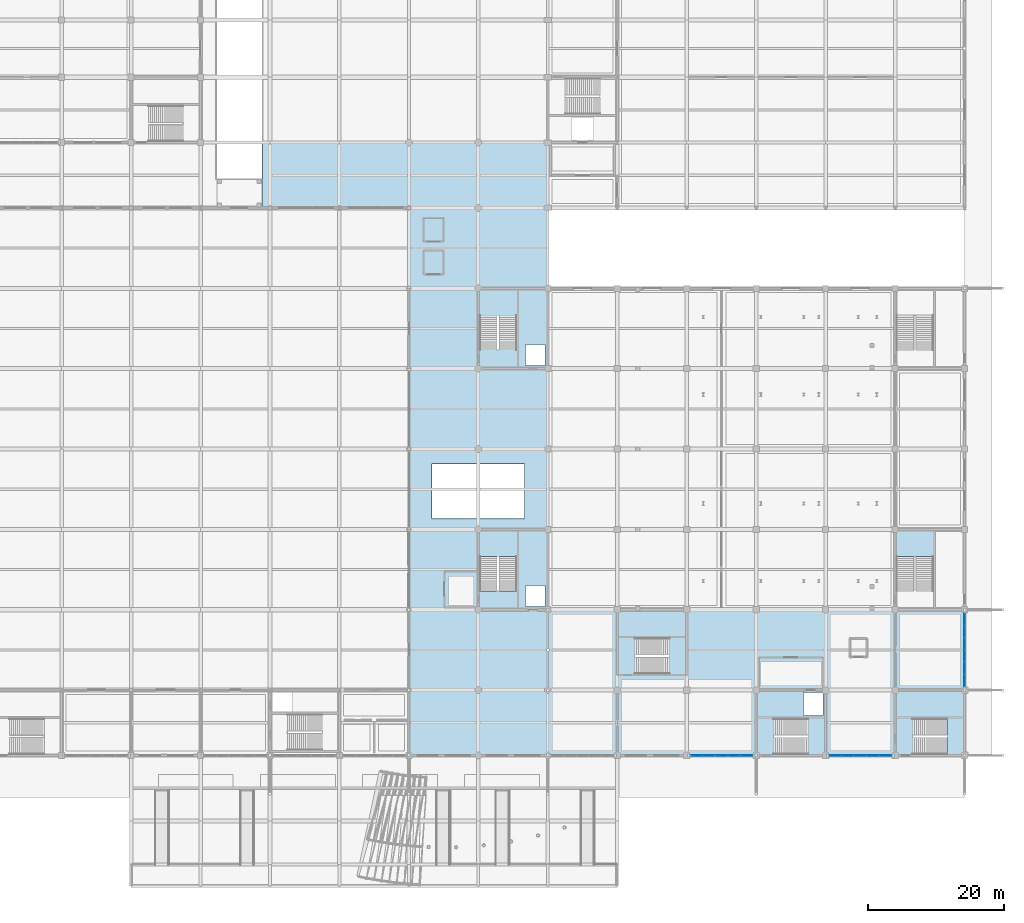
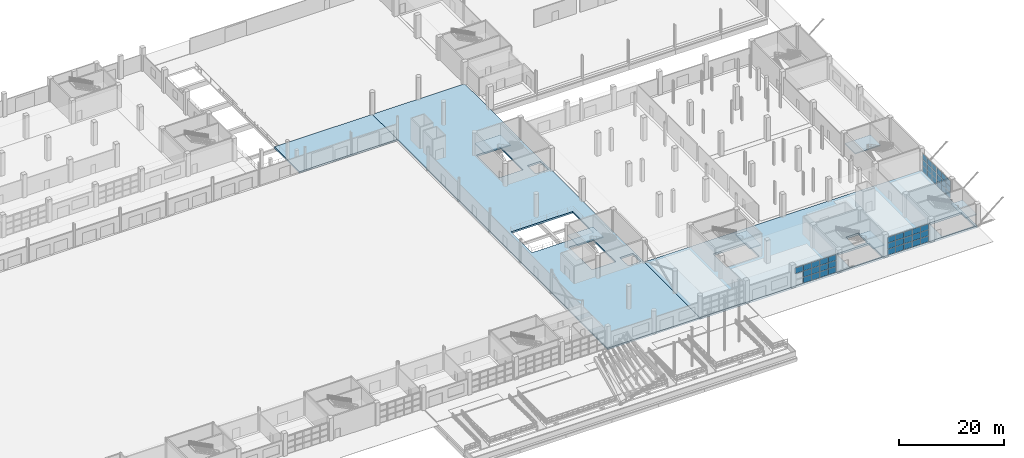
# One storey, part 78 of 124: 46 plates, 9 slabs, 9 elements without a shape of their own.
"""IFC4 building model written with IfcOpenShell, lengths in metres."""

import ifcopenshell
import ifcopenshell.guid

model = None  # the IFC model being written
_history = None  # IfcOwnerHistory: only IFC2X3 demands one
_inside = {}  # id of a spatial element -> (the spatial element, [elements in it])
_under = {}  # id of a project, library or spatial element -> (it, [spatial elements below it])
_declared = {}  # id of a project -> (the project, [libraries it declares])
_typed = {}  # id of a type object -> (the type object, [elements of that type])
_made_of = {}  # id of a material, layer set ... -> (it, [elements and type objects made of it])


def new_model(schema):
    """Start an empty IFC model of exactly this schema.

    Asked for "IFC4X3", IfcOpenShell would pick the latest addendum, in which some entities
    have other attributes; the version numbers below select the first issue.
    IFC2X3 requires an IfcOwnerHistory on every rooted entity: one is made here for all.
    """
    global model, _history
    if schema == "IFC4X3":
        model = ifcopenshell.file(schema_version=(4, 3, 0, 0))
    else:
        model = ifcopenshell.file(schema=schema)
    _inside.clear()
    _under.clear()
    _declared.clear()
    _typed.clear()
    _made_of.clear()
    _history = None
    if model.schema == "IFC2X3":
        org = make("IfcOrganization", Name="unknown")
        user = make(
            "IfcPersonAndOrganization",
            ThePerson=make("IfcPerson", FamilyName="unknown"),
            TheOrganization=org,
        )
        app = make(
            "IfcApplication",
            ApplicationDeveloper=org,
            Version="unknown",
            ApplicationFullName="unknown",
            ApplicationIdentifier="unknown",
        )
        _history = make(
            "IfcOwnerHistory",
            OwningUser=user,
            OwningApplication=app,
            ChangeAction="ADDED",
            CreationDate=0,
        )
    return model


def make(cls, **values):
    """One entity of the class cls with the attributes given. An attribute that is None is left unset."""
    return model.create_entity(
        cls, **{name: value for name, value in values.items() if value is not None}
    )


def rooted(cls, **values):
    """An entity with a GlobalId (a new one), such as an element, a storey or a relation."""
    return make(cls, GlobalId=ifcopenshell.guid.new(), OwnerHistory=_history, **values)


def si_unit(unit_type, name, prefix=None):
    """IfcSIUnit, for example si_unit("LENGTHUNIT", "METRE", prefix="MILLI")."""
    return make("IfcSIUnit", UnitType=unit_type, Prefix=prefix, Name=name)


def assignment(units):
    """IfcUnitAssignment: the units of a project."""
    return None if units is None else make("IfcUnitAssignment", Units=units)


def point(xyz):
    """IfcCartesianPoint."""
    return None if xyz is None else make("IfcCartesianPoint", Coordinates=xyz)


def direction(xyz):
    """IfcDirection."""
    return None if xyz is None else make("IfcDirection", DirectionRatios=xyz)


def frame(location, z_axis=None, x_axis=None):
    """IfcAxis2Placement3D, a coordinate frame: its origin and axes. An axis left out is left unset."""
    return make(
        "IfcAxis2Placement3D",
        Location=point(location),
        Axis=direction(z_axis),
        RefDirection=direction(x_axis),
    )


def frame_2d(location, x_axis=None):
    """IfcAxis2Placement2D, a coordinate frame in the plane: its origin and x axis."""
    return make(
        "IfcAxis2Placement2D", Location=point(location), RefDirection=direction(x_axis)
    )


def origin():
    """The frame at (0, 0, 0) with its axes left unset."""
    return frame((0.0, 0.0, 0.0))


def origin_2d():
    """The frame at (0, 0) in the plane with its x axis left unset."""
    return frame_2d((0.0, 0.0))


def place(relative_to, where):
    """IfcLocalPlacement: puts the frame where relative to a parent placement (None: the world)."""
    return make(
        "IfcLocalPlacement", PlacementRelTo=relative_to, RelativePlacement=where
    )


def context(
    kind, dimensions, precision=None, world=None, true_north=None, identifier=None
):
    """IfcGeometricRepresentationContext, for example the 3D "Model" context."""
    return make(
        "IfcGeometricRepresentationContext",
        ContextIdentifier=identifier,
        ContextType=kind,
        CoordinateSpaceDimension=dimensions,
        Precision=precision,
        WorldCoordinateSystem=world,
        TrueNorth=true_north,
    )


def subcontext(parent, identifier, kind, view, scale=None):
    """IfcGeometricRepresentationSubContext, for example "Body" below "Model"."""
    return make(
        "IfcGeometricRepresentationSubContext",
        ContextIdentifier=identifier,
        ContextType=kind,
        ParentContext=parent,
        TargetScale=scale,
        TargetView=view,
    )


def project(units=None, contexts=None):
    """IfcProject with its units and contexts."""
    return rooted(
        "IfcProject",
        Name="project",
        RepresentationContexts=contexts,
        UnitsInContext=assignment(units),
    )


def spatial(cls, under=None, at=None, **own):
    """A site, building, storey or space (cls), placed at a placement, below another one or the project."""
    s = rooted(cls, ObjectPlacement=at, **own)
    if under is not None:
        _under.setdefault(under.id(), (under, []))[1].append(s)
    return s


def polyline(points):
    """IfcPolyline through the points."""
    return make("IfcPolyline", Points=[point(p) for p in points])


def profile(cls, at=None, kind="AREA", **sizes):
    """A parametric profile (cls). Its sizes go by their IFC names, for example OverallWidth=200.0."""
    return make(cls, ProfileType=kind, Position=at, **sizes)


def rectangle(**sizes):
    """IfcRectangleProfileDef."""
    return profile("IfcRectangleProfileDef", **sizes)


def outline(outer, holes=None, kind="AREA"):
    """IfcArbitraryClosedProfileDef: a profile drawn as a closed curve; with holes, ...WithVoids."""
    if holes is None:
        return make("IfcArbitraryClosedProfileDef", ProfileType=kind, OuterCurve=outer)
    return make(
        "IfcArbitraryProfileDefWithVoids",
        ProfileType=kind,
        OuterCurve=outer,
        InnerCurves=holes,
    )


def extrude(swept, where, along, depth):
    """IfcExtrudedAreaSolid: the profile swept, set in the frame where, extruded along a direction by depth."""
    return make(
        "IfcExtrudedAreaSolid",
        SweptArea=swept,
        Position=where,
        ExtrudedDirection=direction(along),
        Depth=depth,
    )


def shape(context_of_items, identifier, shape_type, items):
    """IfcShapeRepresentation: the items that make up one representation, for example the "Body"."""
    return make(
        "IfcShapeRepresentation",
        ContextOfItems=context_of_items,
        RepresentationIdentifier=identifier,
        RepresentationType=shape_type,
        Items=items,
    )


def material(Name=None, Category=None):
    """IfcMaterial."""
    return make("IfcMaterial", Name=Name, Category=Category)


def layer(
    of_material, thickness, ventilated=None, Name=None, Category=None, Priority=None
):
    """IfcMaterialLayer: one layer of a wall or slab, of a material (None: an air gap)."""
    return make(
        "IfcMaterialLayer",
        Material=of_material,
        LayerThickness=thickness,
        IsVentilated=ventilated,
        Name=Name,
        Category=Category,
        Priority=Priority,
    )


def layer_set(layers, Name=None):
    """IfcMaterialLayerSet."""
    return make("IfcMaterialLayerSet", MaterialLayers=layers, LayerSetName=Name)


def made_of(thing, what):
    """Note that an element or type object is made of a material, layer set ...; save() writes the relation."""
    if what is not None:
        _made_of.setdefault(what.id(), (what, []))[1].append(thing)
    return thing


def type_object(cls, material=None, **own):
    """A type object (cls), such as IfcWallType, which elements share."""
    return made_of(rooted(cls, **own), material)


def element(
    cls,
    number,
    at=None,
    inside=None,
    cuts=None,
    type_object=None,
    material=None,
    context=None,
    identifier="Body",
    shape_type=None,
    held_by="IfcProductDefinitionShape",
    body=None,
    shapes=None,
    **own,
):
    """One element of the class cls, such as IfcWall. Its Tag is "e" and its number.

    at: its placement. inside: the storey or other place that contains it. cuts: it is an
    opening in that element (IfcRelVoidsElement). A single representation is given by context,
    identifier, shape_type and body (its items); several are given by shapes. held_by: the class
    of the entity that holds the representations. save() writes the other relations.
    """
    e = rooted(cls, Tag="e%d" % number, ObjectPlacement=at, **own)
    if body is not None:
        shapes = [shape(context, identifier, shape_type, body)]
    if shapes is not None:
        e.Representation = make(held_by, Representations=shapes)
    if inside is not None:
        _inside.setdefault(inside.id(), (inside, []))[1].append(e)
    if cuts is not None:
        rooted(
            "IfcRelVoidsElement", RelatingBuildingElement=cuts, RelatedOpeningElement=e
        )
    if type_object is not None:
        _typed.setdefault(type_object.id(), (type_object, []))[1].append(e)
    return made_of(e, material)


def aggregate(whole, parts):
    """IfcRelAggregates: a whole, such as a stair, and the parts it consists of."""
    return rooted("IfcRelAggregates", RelatingObject=whole, RelatedObjects=parts)


def save(model, path):
    """Write the relations noted so far, then the file.

    IfcRelAggregates (storeys below a building ...), IfcRelContainedInSpatialStructure (elements
    in a storey), IfcRelDefinesByType, IfcRelAssociatesMaterial and IfcRelDeclares: one each for
    every whole, place, type object, material and project.
    """
    for whole, parts in _under.values():
        aggregate(whole, parts)
    for where, things in _inside.values():
        rooted(
            "IfcRelContainedInSpatialStructure",
            RelatedElements=things,
            RelatingStructure=where,
        )
    for kind, things in _typed.values():
        rooted("IfcRelDefinesByType", RelatedObjects=things, RelatingType=kind)
    for what, things in _made_of.values():
        rooted("IfcRelAssociatesMaterial", RelatedObjects=things, RelatingMaterial=what)
    for by, libraries in _declared.values():
        rooted("IfcRelDeclares", RelatingContext=by, RelatedDefinitions=libraries)
    model.write(path)


model = new_model("IFC4")

# Units and contexts
model_context = context("Model", 3, precision=1e-05, world=origin(), true_north=direction((0.0, 1.0)))
body_context = subcontext(model_context, "Body", "Model", "MODEL_VIEW")
ifc_project = project(units=[si_unit("LENGTHUNIT", "METRE"), si_unit("AREAUNIT", "SQUARE_METRE"), si_unit("VOLUMEUNIT", "CUBIC_METRE"), si_unit("PLANEANGLEUNIT", "RADIAN"), si_unit("MASSUNIT", "GRAM", prefix="KILO")], contexts=[model_context])

# Site, building, storey
site_placement = place(None, origin())
site = spatial("IfcSite", under=ifc_project, at=site_placement, CompositionType="ELEMENT")
building_placement = place(site_placement, origin())
building = spatial("IfcBuilding", under=site, at=building_placement, Name="Brelvane Convention Centre", CompositionType="ELEMENT")
storey_placement = place(building_placement, origin())
storey = spatial("IfcBuildingStorey", under=building, at=storey_placement, Name="L00", CompositionType="ELEMENT", Elevation=0.0)

# Curtain wall, plates
ifc_material_1 = material(Name="Anodised Aluminium Alloy 6063-T6", Category="aluminium")
curtain_wall_type_1 = type_object("IfcCurtainWallType", Name="Curtain Wall CW-CONC", PredefinedType="USERDEFINED", material=ifc_material_1)
curtain_wall_1_placement = place(storey_placement, origin())
curtain_wall_1 = element("IfcCurtainWall", 1, at=curtain_wall_1_placement, inside=storey, type_object=curtain_wall_type_1, Name="Curtain Wall CW-CONC L00-V1S-19", ObjectType="UNITISED", PredefinedType="USERDEFINED")
ifc_material_2 = material(Name="Double Glazed Low-E Laminated Unit")
ifc_layer_1 = layer(ifc_material_2, 0.031982421875)
ifc_layer_set_1 = layer_set([ifc_layer_1], Name="Double Glazed Low-E Laminated Unit")
plate_type = type_object("IfcPlateType", Name="Curtain Panel CW-PG1", PredefinedType="CURTAIN_PANEL", material=ifc_layer_set_1)
plate_1_placement = place(storey_placement, frame((185.0400390625, 19.199951171875, 2.90673828125), z_axis=(0.0, 0.0, 1.0), x_axis=(1.0, 0.0, 0.0)))
plate_1 = element("IfcPlate", 2, at=plate_1_placement, type_object=plate_type, Name="CW-CONC panel 1.3", PredefinedType="CURTAIN_PANEL", context=body_context, shape_type="SweptSolid", body=[
    extrude(rectangle(XDim=1.719970703125, YDim=0.031982421875, at=origin_2d()), origin(), (0.0, 0.0, 1.0), 1.313232421875),
])
plate_2_placement = place(storey_placement, frame((186.860107421875, 19.199951171875, 0.080078125), z_axis=(0.0, 0.0, 1.0), x_axis=(1.0, 0.0, 0.0)))
plate_2 = element("IfcPlate", 3, at=plate_2_placement, type_object=plate_type, Name="CW-CONC panel 2.1", PredefinedType="CURTAIN_PANEL", context=body_context, shape_type="SweptSolid", body=[
    extrude(rectangle(XDim=1.760009765625, YDim=0.031982421875, at=origin_2d()), origin(), (0.0, 0.0, 1.0), 1.313232421875),
])
plate_3_placement = place(storey_placement, frame((186.860107421875, 19.199951171875, 1.47314453125), z_axis=(0.0, 0.0, 1.0), x_axis=(1.0, 0.0, 0.0)))
plate_3 = element("IfcPlate", 4, at=plate_3_placement, type_object=plate_type, Name="CW-CONC panel 2.2", PredefinedType="CURTAIN_PANEL", context=body_context, shape_type="SweptSolid", body=[
    extrude(rectangle(XDim=1.760009765625, YDim=0.031982421875, at=origin_2d()), origin(), (0.0, 0.0, 1.0), 1.353515625),
])
plate_4_placement = place(storey_placement, frame((186.860107421875, 19.199951171875, 2.90673828125), z_axis=(0.0, 0.0, 1.0), x_axis=(1.0, 0.0, 0.0)))
plate_4 = element("IfcPlate", 5, at=plate_4_placement, type_object=plate_type, Name="CW-CONC panel 2.3", PredefinedType="CURTAIN_PANEL", context=body_context, shape_type="SweptSolid", body=[
    extrude(rectangle(XDim=1.760009765625, YDim=0.031982421875, at=origin_2d()), origin(), (0.0, 0.0, 1.0), 1.313232421875),
])
plate_5_placement = place(storey_placement, frame((188.699951171875, 19.199951171875, 0.080078125), z_axis=(0.0, 0.0, 1.0), x_axis=(1.0, 0.0, 0.0)))
plate_5 = element("IfcPlate", 6, at=plate_5_placement, type_object=plate_type, Name="CW-CONC panel 3.1", PredefinedType="CURTAIN_PANEL", context=body_context, shape_type="SweptSolid", body=[
    extrude(rectangle(XDim=1.760009765625, YDim=0.031982421875, at=origin_2d()), origin(), (0.0, 0.0, 1.0), 1.313232421875),
])
plate_6_placement = place(storey_placement, frame((188.699951171875, 19.199951171875, 1.47314453125), z_axis=(0.0, 0.0, 1.0), x_axis=(1.0, 0.0, 0.0)))
plate_6 = element("IfcPlate", 7, at=plate_6_placement, type_object=plate_type, Name="CW-CONC panel 3.2", PredefinedType="CURTAIN_PANEL", context=body_context, shape_type="SweptSolid", body=[
    extrude(rectangle(XDim=1.760009765625, YDim=0.031982421875, at=origin_2d()), origin(), (0.0, 0.0, 1.0), 1.353515625),
])
plate_7_placement = place(storey_placement, frame((188.699951171875, 19.199951171875, 2.90673828125), z_axis=(0.0, 0.0, 1.0), x_axis=(1.0, 0.0, 0.0)))
plate_7 = element("IfcPlate", 8, at=plate_7_placement, type_object=plate_type, Name="CW-CONC panel 3.3", PredefinedType="CURTAIN_PANEL", context=body_context, shape_type="SweptSolid", body=[
    extrude(rectangle(XDim=1.760009765625, YDim=0.031982421875, at=origin_2d()), origin(), (0.0, 0.0, 1.0), 1.313232421875),
])
plate_8_placement = place(storey_placement, frame((190.5400390625, 19.199951171875, 0.080078125), z_axis=(0.0, 0.0, 1.0), x_axis=(1.0, 0.0, 0.0)))
plate_8 = element("IfcPlate", 9, at=plate_8_placement, type_object=plate_type, Name="CW-CONC panel 4.1", PredefinedType="CURTAIN_PANEL", context=body_context, shape_type="SweptSolid", body=[
    extrude(rectangle(XDim=1.760009765625, YDim=0.031982421875, at=origin_2d()), origin(), (0.0, 0.0, 1.0), 1.313232421875),
])
plate_9_placement = place(storey_placement, frame((190.5400390625, 19.199951171875, 1.47314453125), z_axis=(0.0, 0.0, 1.0), x_axis=(1.0, 0.0, 0.0)))
plate_9 = element("IfcPlate", 10, at=plate_9_placement, type_object=plate_type, Name="CW-CONC panel 4.2", PredefinedType="CURTAIN_PANEL", context=body_context, shape_type="SweptSolid", body=[
    extrude(rectangle(XDim=1.760009765625, YDim=0.031982421875, at=origin_2d()), origin(), (0.0, 0.0, 1.0), 1.353515625),
])
plate_10_placement = place(storey_placement, frame((190.5400390625, 19.199951171875, 2.90673828125), z_axis=(0.0, 0.0, 1.0), x_axis=(1.0, 0.0, 0.0)))
plate_10 = element("IfcPlate", 11, at=plate_10_placement, type_object=plate_type, Name="CW-CONC panel 4.3", PredefinedType="CURTAIN_PANEL", context=body_context, shape_type="SweptSolid", body=[
    extrude(rectangle(XDim=1.760009765625, YDim=0.031982421875, at=origin_2d()), origin(), (0.0, 0.0, 1.0), 1.313232421875),
])
plate_11_placement = place(storey_placement, frame((192.360107421875, 19.199951171875, 0.080078125), z_axis=(0.0, 0.0, 1.0), x_axis=(1.0, 0.0, 0.0)))
plate_11 = element("IfcPlate", 12, at=plate_11_placement, type_object=plate_type, Name="CW-CONC panel 5.1", PredefinedType="CURTAIN_PANEL", context=body_context, shape_type="SweptSolid", body=[
    extrude(rectangle(XDim=1.719970703125, YDim=0.031982421875, at=origin_2d()), origin(), (0.0, 0.0, 1.0), 1.313232421875),
])
plate_12_placement = place(storey_placement, frame((192.360107421875, 19.199951171875, 1.47314453125), z_axis=(0.0, 0.0, 1.0), x_axis=(1.0, 0.0, 0.0)))
plate_12 = element("IfcPlate", 13, at=plate_12_placement, type_object=plate_type, Name="CW-CONC panel 5.2", PredefinedType="CURTAIN_PANEL", context=body_context, shape_type="SweptSolid", body=[
    extrude(rectangle(XDim=1.719970703125, YDim=0.031982421875, at=origin_2d()), origin(), (0.0, 0.0, 1.0), 1.353515625),
])
plate_13_placement = place(storey_placement, frame((192.360107421875, 19.199951171875, 2.90673828125), z_axis=(0.0, 0.0, 1.0), x_axis=(1.0, 0.0, 0.0)))
plate_13 = element("IfcPlate", 14, at=plate_13_placement, type_object=plate_type, Name="CW-CONC panel 5.3", PredefinedType="CURTAIN_PANEL", context=body_context, shape_type="SweptSolid", body=[
    extrude(rectangle(XDim=1.719970703125, YDim=0.031982421875, at=origin_2d()), origin(), (0.0, 0.0, 1.0), 1.313232421875),
])
aggregate(curtain_wall_1, [plate_1, plate_2, plate_3, plate_4, plate_5, plate_6, plate_7, plate_8, plate_9, plate_10, plate_11, plate_12, plate_13])

curtain_wall_2_placement = place(storey_placement, origin())
curtain_wall_2 = element("IfcCurtainWall", 15, at=curtain_wall_2_placement, inside=storey, type_object=curtain_wall_type_1, Name="Curtain Wall CW-CONC L00-V1S-21", ObjectType="UNITISED", PredefinedType="USERDEFINED")
plate_14_placement = place(storey_placement, frame((205.43994140625, 19.199951171875, 0.080078125), z_axis=(0.0, 0.0, 1.0), x_axis=(1.0, 0.0, 0.0)))
plate_14 = element("IfcPlate", 16, at=plate_14_placement, type_object=plate_type, Name="CW-CONC panel 1.1", PredefinedType="CURTAIN_PANEL", context=body_context, shape_type="SweptSolid", body=[
    extrude(rectangle(XDim=1.719970703125, YDim=0.031982421875, at=origin_2d()), origin(), (0.0, 0.0, 1.0), 1.313232421875),
])
plate_15_placement = place(storey_placement, frame((205.43994140625, 19.199951171875, 1.47314453125), z_axis=(0.0, 0.0, 1.0), x_axis=(1.0, 0.0, 0.0)))
plate_15 = element("IfcPlate", 17, at=plate_15_placement, type_object=plate_type, Name="CW-CONC panel 1.2", PredefinedType="CURTAIN_PANEL", context=body_context, shape_type="SweptSolid", body=[
    extrude(rectangle(XDim=1.719970703125, YDim=0.031982421875, at=origin_2d()), origin(), (0.0, 0.0, 1.0), 1.353515625),
])
plate_16_placement = place(storey_placement, frame((205.43994140625, 19.199951171875, 2.90673828125), z_axis=(0.0, 0.0, 1.0), x_axis=(1.0, 0.0, 0.0)))
plate_16 = element("IfcPlate", 18, at=plate_16_placement, type_object=plate_type, Name="CW-CONC panel 1.3", PredefinedType="CURTAIN_PANEL", context=body_context, shape_type="SweptSolid", body=[
    extrude(rectangle(XDim=1.719970703125, YDim=0.031982421875, at=origin_2d()), origin(), (0.0, 0.0, 1.0), 1.313232421875),
])
plate_17_placement = place(storey_placement, frame((207.260009765625, 19.199951171875, 0.080078125), z_axis=(0.0, 0.0, 1.0), x_axis=(1.0, 0.0, 0.0)))
plate_17 = element("IfcPlate", 19, at=plate_17_placement, type_object=plate_type, Name="CW-CONC panel 2.1", PredefinedType="CURTAIN_PANEL", context=body_context, shape_type="SweptSolid", body=[
    extrude(rectangle(XDim=1.760009765625, YDim=0.031982421875, at=origin_2d()), origin(), (0.0, 0.0, 1.0), 1.313232421875),
])
plate_18_placement = place(storey_placement, frame((207.260009765625, 19.199951171875, 1.47314453125), z_axis=(0.0, 0.0, 1.0), x_axis=(1.0, 0.0, 0.0)))
plate_18 = element("IfcPlate", 20, at=plate_18_placement, type_object=plate_type, Name="CW-CONC panel 2.2", PredefinedType="CURTAIN_PANEL", context=body_context, shape_type="SweptSolid", body=[
    extrude(rectangle(XDim=1.760009765625, YDim=0.031982421875, at=origin_2d()), origin(), (0.0, 0.0, 1.0), 1.353515625),
])
plate_19_placement = place(storey_placement, frame((207.260009765625, 19.199951171875, 2.90673828125), z_axis=(0.0, 0.0, 1.0), x_axis=(1.0, 0.0, 0.0)))
plate_19 = element("IfcPlate", 21, at=plate_19_placement, type_object=plate_type, Name="CW-CONC panel 2.3", PredefinedType="CURTAIN_PANEL", context=body_context, shape_type="SweptSolid", body=[
    extrude(rectangle(XDim=1.760009765625, YDim=0.031982421875, at=origin_2d()), origin(), (0.0, 0.0, 1.0), 1.313232421875),
])
plate_20_placement = place(storey_placement, frame((209.10009765625, 19.199951171875, 0.080078125), z_axis=(0.0, 0.0, 1.0), x_axis=(1.0, 0.0, 0.0)))
plate_20 = element("IfcPlate", 22, at=plate_20_placement, type_object=plate_type, Name="CW-CONC panel 3.1", PredefinedType="CURTAIN_PANEL", context=body_context, shape_type="SweptSolid", body=[
    extrude(rectangle(XDim=1.760009765625, YDim=0.031982421875, at=origin_2d()), origin(), (0.0, 0.0, 1.0), 1.313232421875),
])
plate_21_placement = place(storey_placement, frame((209.10009765625, 19.199951171875, 1.47314453125), z_axis=(0.0, 0.0, 1.0), x_axis=(1.0, 0.0, 0.0)))
plate_21 = element("IfcPlate", 23, at=plate_21_placement, type_object=plate_type, Name="CW-CONC panel 3.2", PredefinedType="CURTAIN_PANEL", context=body_context, shape_type="SweptSolid", body=[
    extrude(rectangle(XDim=1.760009765625, YDim=0.031982421875, at=origin_2d()), origin(), (0.0, 0.0, 1.0), 1.353515625),
])
plate_22_placement = place(storey_placement, frame((209.10009765625, 19.199951171875, 2.90673828125), z_axis=(0.0, 0.0, 1.0), x_axis=(1.0, 0.0, 0.0)))
plate_22 = element("IfcPlate", 24, at=plate_22_placement, type_object=plate_type, Name="CW-CONC panel 3.3", PredefinedType="CURTAIN_PANEL", context=body_context, shape_type="SweptSolid", body=[
    extrude(rectangle(XDim=1.760009765625, YDim=0.031982421875, at=origin_2d()), origin(), (0.0, 0.0, 1.0), 1.313232421875),
])
plate_23_placement = place(storey_placement, frame((210.93994140625, 19.199951171875, 0.080078125), z_axis=(0.0, 0.0, 1.0), x_axis=(1.0, 0.0, 0.0)))
plate_23 = element("IfcPlate", 25, at=plate_23_placement, type_object=plate_type, Name="CW-CONC panel 4.1", PredefinedType="CURTAIN_PANEL", context=body_context, shape_type="SweptSolid", body=[
    extrude(rectangle(XDim=1.760009765625, YDim=0.031982421875, at=origin_2d()), origin(), (0.0, 0.0, 1.0), 1.313232421875),
])
plate_24_placement = place(storey_placement, frame((210.93994140625, 19.199951171875, 1.47314453125), z_axis=(0.0, 0.0, 1.0), x_axis=(1.0, 0.0, 0.0)))
plate_24 = element("IfcPlate", 26, at=plate_24_placement, type_object=plate_type, Name="CW-CONC panel 4.2", PredefinedType="CURTAIN_PANEL", context=body_context, shape_type="SweptSolid", body=[
    extrude(rectangle(XDim=1.760009765625, YDim=0.031982421875, at=origin_2d()), origin(), (0.0, 0.0, 1.0), 1.353515625),
])
plate_25_placement = place(storey_placement, frame((210.93994140625, 19.199951171875, 2.90673828125), z_axis=(0.0, 0.0, 1.0), x_axis=(1.0, 0.0, 0.0)))
plate_25 = element("IfcPlate", 27, at=plate_25_placement, type_object=plate_type, Name="CW-CONC panel 4.3", PredefinedType="CURTAIN_PANEL", context=body_context, shape_type="SweptSolid", body=[
    extrude(rectangle(XDim=1.760009765625, YDim=0.031982421875, at=origin_2d()), origin(), (0.0, 0.0, 1.0), 1.313232421875),
])
plate_26_placement = place(storey_placement, frame((212.760009765625, 19.199951171875, 0.080078125), z_axis=(0.0, 0.0, 1.0), x_axis=(1.0, 0.0, 0.0)))
plate_26 = element("IfcPlate", 28, at=plate_26_placement, type_object=plate_type, Name="CW-CONC panel 5.1", PredefinedType="CURTAIN_PANEL", context=body_context, shape_type="SweptSolid", body=[
    extrude(rectangle(XDim=1.719970703125, YDim=0.031982421875, at=origin_2d()), origin(), (0.0, 0.0, 1.0), 1.313232421875),
])
plate_27_placement = place(storey_placement, frame((212.760009765625, 19.199951171875, 1.47314453125), z_axis=(0.0, 0.0, 1.0), x_axis=(1.0, 0.0, 0.0)))
plate_27 = element("IfcPlate", 29, at=plate_27_placement, type_object=plate_type, Name="CW-CONC panel 5.2", PredefinedType="CURTAIN_PANEL", context=body_context, shape_type="SweptSolid", body=[
    extrude(rectangle(XDim=1.719970703125, YDim=0.031982421875, at=origin_2d()), origin(), (0.0, 0.0, 1.0), 1.353515625),
])
plate_28_placement = place(storey_placement, frame((212.760009765625, 19.199951171875, 2.90673828125), z_axis=(0.0, 0.0, 1.0), x_axis=(1.0, 0.0, 0.0)))
plate_28 = element("IfcPlate", 30, at=plate_28_placement, type_object=plate_type, Name="CW-CONC panel 5.3", PredefinedType="CURTAIN_PANEL", context=body_context, shape_type="SweptSolid", body=[
    extrude(rectangle(XDim=1.719970703125, YDim=0.031982421875, at=origin_2d()), origin(), (0.0, 0.0, 1.0), 1.313232421875),
])
aggregate(curtain_wall_2, [plate_14, plate_15, plate_16, plate_17, plate_18, plate_19, plate_20, plate_21, plate_22, plate_23, plate_24, plate_25, plate_26, plate_27, plate_28])

ifc_material_3 = material(Name="Anodised Aluminium Alloy 6063-T6", Category="aluminium")
curtain_wall_type_2 = type_object("IfcCurtainWallType", Name="Curtain Wall CW-BOUL", PredefinedType="USERDEFINED", material=ifc_material_3)
curtain_wall_3_placement = place(storey_placement, origin())
curtain_wall_3 = element("IfcCurtainWall", 31, at=curtain_wall_3_placement, inside=storey, type_object=curtain_wall_type_2, Name="Curtain Wall CW-BOUL L00-V5E-CW-L00", ObjectType="UNITISED", PredefinedType="USERDEFINED")
plate_29_placement = place(storey_placement, frame((224.39990234375, 30.21875, 0.06982421875), z_axis=(0.0, 0.0, 1.0), x_axis=(0.0, 1.0, 0.0)))
plate_29 = element("IfcPlate", 32, at=plate_29_placement, type_object=plate_type, Name="CW-BOUL panel 1.1", PredefinedType="CURTAIN_PANEL", context=body_context, shape_type="SweptSolid", body=[
    extrude(rectangle(XDim=1.6875, YDim=0.031982421875, at=origin_2d()), origin(), (0.0, 0.0, 1.0), 1.328369140625),
])
plate_30_placement = place(storey_placement, frame((224.39990234375, 30.21875, 1.46826171875), z_axis=(0.0, 0.0, 1.0), x_axis=(0.0, 1.0, 0.0)))
plate_30 = element("IfcPlate", 33, at=plate_30_placement, type_object=plate_type, Name="CW-BOUL panel 1.2", PredefinedType="CURTAIN_PANEL", context=body_context, shape_type="SweptSolid", body=[
    extrude(rectangle(XDim=1.6875, YDim=0.031982421875, at=origin_2d()), origin(), (0.0, 0.0, 1.0), 1.36328125),
])
plate_31_placement = place(storey_placement, frame((224.39990234375, 30.21875, 2.90185546875), z_axis=(0.0, 0.0, 1.0), x_axis=(0.0, 1.0, 0.0)))
plate_31 = element("IfcPlate", 34, at=plate_31_placement, type_object=plate_type, Name="CW-BOUL panel 1.3", PredefinedType="CURTAIN_PANEL", context=body_context, shape_type="SweptSolid", body=[
    extrude(rectangle(XDim=1.6875, YDim=0.031982421875, at=origin_2d()), origin(), (0.0, 0.0, 1.0), 1.328369140625),
])
plate_32_placement = place(storey_placement, frame((224.39990234375, 32.0, 0.06982421875), z_axis=(0.0, 0.0, 1.0), x_axis=(0.0, 1.0, 0.0)))
plate_32 = element("IfcPlate", 35, at=plate_32_placement, type_object=plate_type, Name="CW-BOUL panel 2.1", PredefinedType="CURTAIN_PANEL", context=body_context, shape_type="SweptSolid", body=[
    extrude(rectangle(XDim=1.72509765625, YDim=0.031982421875, at=origin_2d()), origin(), (0.0, 0.0, 1.0), 1.328369140625),
])
plate_33_placement = place(storey_placement, frame((224.39990234375, 32.0, 1.46826171875), z_axis=(0.0, 0.0, 1.0), x_axis=(0.0, 1.0, 0.0)))
plate_33 = element("IfcPlate", 36, at=plate_33_placement, type_object=plate_type, Name="CW-BOUL panel 2.2", PredefinedType="CURTAIN_PANEL", context=body_context, shape_type="SweptSolid", body=[
    extrude(rectangle(XDim=1.72509765625, YDim=0.031982421875, at=origin_2d()), origin(), (0.0, 0.0, 1.0), 1.36328125),
])
plate_34_placement = place(storey_placement, frame((224.39990234375, 32.0, 2.90185546875), z_axis=(0.0, 0.0, 1.0), x_axis=(0.0, 1.0, 0.0)))
plate_34 = element("IfcPlate", 37, at=plate_34_placement, type_object=plate_type, Name="CW-BOUL panel 2.3", PredefinedType="CURTAIN_PANEL", context=body_context, shape_type="SweptSolid", body=[
    extrude(rectangle(XDim=1.72509765625, YDim=0.031982421875, at=origin_2d()), origin(), (0.0, 0.0, 1.0), 1.328369140625),
])
plate_35_placement = place(storey_placement, frame((224.39990234375, 33.800048828125, 0.06982421875), z_axis=(0.0, 0.0, 1.0), x_axis=(0.0, 1.0, 0.0)))
plate_35 = element("IfcPlate", 38, at=plate_35_placement, type_object=plate_type, Name="CW-BOUL panel 3.1", PredefinedType="CURTAIN_PANEL", context=body_context, shape_type="SweptSolid", body=[
    extrude(rectangle(XDim=1.72509765625, YDim=0.031982421875, at=origin_2d()), origin(), (0.0, 0.0, 1.0), 1.328369140625),
])
plate_36_placement = place(storey_placement, frame((224.39990234375, 33.800048828125, 1.46826171875), z_axis=(0.0, 0.0, 1.0), x_axis=(0.0, 1.0, 0.0)))
plate_36 = element("IfcPlate", 39, at=plate_36_placement, type_object=plate_type, Name="CW-BOUL panel 3.2", PredefinedType="CURTAIN_PANEL", context=body_context, shape_type="SweptSolid", body=[
    extrude(rectangle(XDim=1.72509765625, YDim=0.031982421875, at=origin_2d()), origin(), (0.0, 0.0, 1.0), 1.36328125),
])
plate_37_placement = place(storey_placement, frame((224.39990234375, 33.800048828125, 2.90185546875), z_axis=(0.0, 0.0, 1.0), x_axis=(0.0, 1.0, 0.0)))
plate_37 = element("IfcPlate", 40, at=plate_37_placement, type_object=plate_type, Name="CW-BOUL panel 3.3", PredefinedType="CURTAIN_PANEL", context=body_context, shape_type="SweptSolid", body=[
    extrude(rectangle(XDim=1.72509765625, YDim=0.031982421875, at=origin_2d()), origin(), (0.0, 0.0, 1.0), 1.328369140625),
])
plate_38_placement = place(storey_placement, frame((224.39990234375, 35.60009765625, 0.06982421875), z_axis=(0.0, 0.0, 1.0), x_axis=(0.0, 1.0, 0.0)))
plate_38 = element("IfcPlate", 41, at=plate_38_placement, type_object=plate_type, Name="CW-BOUL panel 4.1", PredefinedType="CURTAIN_PANEL", context=body_context, shape_type="SweptSolid", body=[
    extrude(rectangle(XDim=1.72509765625, YDim=0.031982421875, at=origin_2d()), origin(), (0.0, 0.0, 1.0), 1.328369140625),
])
plate_39_placement = place(storey_placement, frame((224.39990234375, 35.60009765625, 1.46826171875), z_axis=(0.0, 0.0, 1.0), x_axis=(0.0, 1.0, 0.0)))
plate_39 = element("IfcPlate", 42, at=plate_39_placement, type_object=plate_type, Name="CW-BOUL panel 4.2", PredefinedType="CURTAIN_PANEL", context=body_context, shape_type="SweptSolid", body=[
    extrude(rectangle(XDim=1.72509765625, YDim=0.031982421875, at=origin_2d()), origin(), (0.0, 0.0, 1.0), 1.36328125),
])
plate_40_placement = place(storey_placement, frame((224.39990234375, 35.60009765625, 2.90185546875), z_axis=(0.0, 0.0, 1.0), x_axis=(0.0, 1.0, 0.0)))
plate_40 = element("IfcPlate", 43, at=plate_40_placement, type_object=plate_type, Name="CW-BOUL panel 4.3", PredefinedType="CURTAIN_PANEL", context=body_context, shape_type="SweptSolid", body=[
    extrude(rectangle(XDim=1.72509765625, YDim=0.031982421875, at=origin_2d()), origin(), (0.0, 0.0, 1.0), 1.328369140625),
])
plate_41_placement = place(storey_placement, frame((224.39990234375, 37.39990234375, 0.06982421875), z_axis=(0.0, 0.0, 1.0), x_axis=(0.0, 1.0, 0.0)))
plate_41 = element("IfcPlate", 44, at=plate_41_placement, type_object=plate_type, Name="CW-BOUL panel 5.1", PredefinedType="CURTAIN_PANEL", context=body_context, shape_type="SweptSolid", body=[
    extrude(rectangle(XDim=1.72509765625, YDim=0.031982421875, at=origin_2d()), origin(), (0.0, 0.0, 1.0), 1.328369140625),
])
plate_42_placement = place(storey_placement, frame((224.39990234375, 37.39990234375, 1.46826171875), z_axis=(0.0, 0.0, 1.0), x_axis=(0.0, 1.0, 0.0)))
plate_42 = element("IfcPlate", 45, at=plate_42_placement, type_object=plate_type, Name="CW-BOUL panel 5.2", PredefinedType="CURTAIN_PANEL", context=body_context, shape_type="SweptSolid", body=[
    extrude(rectangle(XDim=1.72509765625, YDim=0.031982421875, at=origin_2d()), origin(), (0.0, 0.0, 1.0), 1.36328125),
])
plate_43_placement = place(storey_placement, frame((224.39990234375, 37.39990234375, 2.90185546875), z_axis=(0.0, 0.0, 1.0), x_axis=(0.0, 1.0, 0.0)))
plate_43 = element("IfcPlate", 46, at=plate_43_placement, type_object=plate_type, Name="CW-BOUL panel 5.3", PredefinedType="CURTAIN_PANEL", context=body_context, shape_type="SweptSolid", body=[
    extrude(rectangle(XDim=1.72509765625, YDim=0.031982421875, at=origin_2d()), origin(), (0.0, 0.0, 1.0), 1.328369140625),
])
plate_44_placement = place(storey_placement, frame((224.39990234375, 39.18115234375, 0.06982421875), z_axis=(0.0, 0.0, 1.0), x_axis=(0.0, 1.0, 0.0)))
plate_44 = element("IfcPlate", 47, at=plate_44_placement, type_object=plate_type, Name="CW-BOUL panel 6.1", PredefinedType="CURTAIN_PANEL", context=body_context, shape_type="SweptSolid", body=[
    extrude(rectangle(XDim=1.6875, YDim=0.031982421875, at=origin_2d()), origin(), (0.0, 0.0, 1.0), 1.328369140625),
])
plate_45_placement = place(storey_placement, frame((224.39990234375, 39.18115234375, 1.46826171875), z_axis=(0.0, 0.0, 1.0), x_axis=(0.0, 1.0, 0.0)))
plate_45 = element("IfcPlate", 48, at=plate_45_placement, type_object=plate_type, Name="CW-BOUL panel 6.2", PredefinedType="CURTAIN_PANEL", context=body_context, shape_type="SweptSolid", body=[
    extrude(rectangle(XDim=1.6875, YDim=0.031982421875, at=origin_2d()), origin(), (0.0, 0.0, 1.0), 1.36328125),
])
plate_46_placement = place(storey_placement, frame((224.39990234375, 39.18115234375, 2.90185546875), z_axis=(0.0, 0.0, 1.0), x_axis=(0.0, 1.0, 0.0)))
plate_46 = element("IfcPlate", 49, at=plate_46_placement, type_object=plate_type, Name="CW-BOUL panel 6.3", PredefinedType="CURTAIN_PANEL", context=body_context, shape_type="SweptSolid", body=[
    extrude(rectangle(XDim=1.6875, YDim=0.031982421875, at=origin_2d()), origin(), (0.0, 0.0, 1.0), 1.328369140625),
])
aggregate(curtain_wall_3, [plate_29, plate_30, plate_31, plate_32, plate_33, plate_34, plate_35, plate_36, plate_37, plate_38, plate_39, plate_40, plate_41, plate_42, plate_43, plate_44, plate_45, plate_46])

# Stair, slab
ifc_material_4 = material(Name="Concrete M40", Category="concrete")
stair_type_1 = type_object("IfcStairType", Name="Exit Stair ST-CORE", PredefinedType="HALF_TURN_STAIR", material=ifc_material_4)
stair_1_placement = place(storey_placement, origin())
stair_1 = element("IfcStair", 50, at=stair_1_placement, inside=storey, type_object=stair_type_1, Name="Exit Stair ST-08 (L00 to L01)", PredefinedType="HALF_TURN_STAIR")
ifc_material_5 = material(Name="Concrete M40", Category="concrete")
ifc_layer_2 = layer(ifc_material_5, 0.199951171875)
ifc_layer_set_2 = layer_set([ifc_layer_2], Name="Concrete M40")
slab_type_1 = type_object("IfcSlabType", Name="Stair Landing SL-LND-200", PredefinedType="LANDING", material=ifc_layer_set_2)
slab_1_placement = place(storey_placement, frame((0.0, 0.0, 2.5)))
slab_1 = element("IfcSlab", 51, at=slab_1_placement, type_object=slab_type_1, Name="Stair ST-08 L00 Half Landing", PredefinedType="LANDING", context=body_context, shape_type="SweptSolid", body=[
    extrude(outline(polyline([(201.419921875, 19.280029296875), (203.919921875, 19.280029296875), (203.919921875, 24.719970703125), (201.419921875, 24.719970703125), (201.419921875, 19.280029296875)])), origin(), (0.0, 0.0, 1.0), 0.199951171875),
])
aggregate(stair_1, [slab_1])

stair_2_placement = place(storey_placement, origin())
stair_2 = element("IfcStair", 52, at=stair_2_placement, inside=storey, type_object=stair_type_1, Name="Exit Stair ST-14 (L00 to L01)", PredefinedType="HALF_TURN_STAIR")
slab_2_placement = place(storey_placement, frame((0.0, 0.0, 2.5)))
slab_2 = element("IfcSlab", 53, at=slab_2_placement, type_object=slab_type_1, Name="Stair ST-14 L00 Half Landing", PredefinedType="LANDING", context=body_context, shape_type="SweptSolid", body=[
    extrude(outline(polyline([(221.820068359375, 19.280029296875), (224.320068359375, 19.280029296875), (224.320068359375, 24.719970703125), (221.820068359375, 24.719970703125), (221.820068359375, 19.280029296875)])), origin(), (0.0, 0.0, 1.0), 0.199951171875),
])
aggregate(stair_2, [slab_2])

stair_3_placement = place(storey_placement, origin())
stair_3 = element("IfcStair", 54, at=stair_3_placement, inside=storey, type_object=stair_type_1, Name="Exit Stair ST-18 (L00 to L01)", PredefinedType="HALF_TURN_STAIR")
slab_3_placement = place(storey_placement, frame((0.0, 0.0, 2.5)))
slab_3 = element("IfcSlab", 55, at=slab_3_placement, type_object=slab_type_1, Name="Stair ST-18 L00 Half Landing", PredefinedType="LANDING", context=body_context, shape_type="SweptSolid", body=[
    extrude(outline(polyline([(181.02001953125, 31.080078125), (183.52001953125, 31.080078125), (183.52001953125, 36.52001953125), (181.02001953125, 36.52001953125), (181.02001953125, 31.080078125)])), origin(), (0.0, 0.0, 1.0), 0.199951171875),
])
aggregate(stair_3, [slab_3])

ifc_material_6 = material(Name="Concrete M40", Category="concrete")
stair_type_2 = type_object("IfcStairType", Name="Exit Stair ST-ASM", PredefinedType="HALF_TURN_STAIR", material=ifc_material_6)
stair_4_placement = place(storey_placement, origin())
stair_4 = element("IfcStair", 56, at=stair_4_placement, inside=storey, type_object=stair_type_2, Name="Exit Stair ST-03 (L00 to L01)", PredefinedType="HALF_TURN_STAIR")
ifc_material_7 = material(Name="Concrete M40", Category="concrete")
ifc_layer_3 = layer(ifc_material_7, 0.219970703125)
ifc_layer_set_3 = layer_set([ifc_layer_3], Name="Concrete M40")
slab_type_2 = type_object("IfcSlabType", Name="Stair Landing SL-LND-220", PredefinedType="LANDING", material=ifc_layer_set_3)
slab_4_placement = place(storey_placement, frame((0.0, 0.0, 2.47998046875)))
slab_4 = element("IfcSlab", 57, at=slab_4_placement, type_object=slab_type_2, Name="Stair ST-03 L00 Half Landing", PredefinedType="LANDING", context=body_context, shape_type="SweptSolid", body=[
    extrude(outline(polyline([(153.080078125, 48.419921875), (158.719970703125, 48.419921875), (158.719970703125, 52.320068359375), (153.080078125, 52.320068359375), (153.080078125, 48.419921875)])), origin(), (0.0, 0.0, 1.0), 0.219970703125),
])
aggregate(stair_4, [slab_4])

stair_5_placement = place(storey_placement, origin())
stair_5 = element("IfcStair", 58, at=stair_5_placement, inside=storey, type_object=stair_type_2, Name="Exit Stair ST-04 (L00 to L01)", PredefinedType="HALF_TURN_STAIR")
slab_5_placement = place(storey_placement, frame((0.0, 0.0, 2.47998046875)))
slab_5 = element("IfcSlab", 59, at=slab_5_placement, type_object=slab_type_2, Name="Stair ST-04 L00 Half Landing", PredefinedType="LANDING", context=body_context, shape_type="SweptSolid", body=[
    extrude(outline(polyline([(153.080078125, 83.820068359375), (158.719970703125, 83.820068359375), (158.719970703125, 87.719970703125), (153.080078125, 87.719970703125), (153.080078125, 83.820068359375)])), origin(), (0.0, 0.0, 1.0), 0.219970703125),
])
aggregate(stair_5, [slab_5])

stair_6_placement = place(storey_placement, origin())
stair_6 = element("IfcStair", 60, at=stair_6_placement, inside=storey, type_object=stair_type_2, Name="Exit Stair ST-15 (L00 to L01)", PredefinedType="HALF_TURN_STAIR")
slab_6_placement = place(storey_placement, frame((0.0, 0.0, 2.47998046875)))
slab_6 = element("IfcSlab", 61, at=slab_6_placement, type_object=slab_type_2, Name="Stair ST-15 L00 Half Landing", PredefinedType="LANDING", context=body_context, shape_type="SweptSolid", body=[
    extrude(outline(polyline([(214.280029296875, 48.419921875), (219.919921875, 48.419921875), (219.919921875, 52.320068359375), (214.280029296875, 52.320068359375), (214.280029296875, 48.419921875)])), origin(), (0.0, 0.0, 1.0), 0.219970703125),
])
aggregate(stair_6, [slab_6])

# Slabs
ifc_material_8 = material(Name="Concrete M40", Category="concrete")
ifc_layer_4 = layer(ifc_material_8, 0.39990234375)
ifc_layer_set_4 = layer_set([ifc_layer_4], Name="Concrete M40")
slab_type_3 = type_object("IfcSlabType", Name="Structural Slab SL-PLINTH-400", PredefinedType="BASESLAB", material=ifc_layer_set_4)
slab_7_placement = place(storey_placement, frame((0.0, 0.0, -0.39990234375)))
element("IfcSlab", 62, at=slab_7_placement, inside=storey, type_object=slab_type_3, Name="L00 Podium Slab SPINE", PredefinedType="BASESLAB", context=body_context, shape_type="SweptSolid", body=[
    extrude(outline(polyline([(142.800048828125, 19.199951171875), (163.199951171875, 19.199951171875), (163.199951171875, 109.199951171875), (142.800048828125, 109.199951171875), (142.800048828125, 19.199951171875)]), holes=[polyline([(153.25, 43.3798828125), (158.550048828125, 43.3798828125), (158.550048828125, 52.050048828125), (153.25, 52.050048828125), (153.25, 43.3798828125)]), polyline([(159.949951171875, 41.050048828125), (162.800048828125, 41.050048828125), (162.800048828125, 44.14990234375), (159.949951171875, 44.14990234375), (159.949951171875, 41.050048828125)]), polyline([(153.25, 78.780029296875), (158.550048828125, 78.780029296875), (158.550048828125, 87.449951171875), (153.25, 87.449951171875), (153.25, 78.780029296875)]), polyline([(159.949951171875, 76.449951171875), (162.800048828125, 76.449951171875), (162.800048828125, 79.550048828125), (159.949951171875, 79.550048828125), (159.949951171875, 76.449951171875)]), polyline([(146.199951171875, 54.0), (159.800048828125, 54.0), (159.800048828125, 62.0), (146.199951171875, 62.0), (146.199951171875, 54.0)])]), origin(), (0.0, 0.0, 1.0), 0.39990234375),
])
slab_8_placement = place(storey_placement, frame((0.0, 0.0, -0.39990234375)))
element("IfcSlab", 63, at=slab_8_placement, inside=storey, type_object=slab_type_3, Name="L00 Podium Slab SYD-SE", PredefinedType="BASESLAB", context=body_context, shape_type="SweptSolid", body=[
    extrude(outline(polyline([(121.199951171875, 99.60009765625), (142.800048828125, 99.60009765625), (142.800048828125, 109.199951171875), (121.199951171875, 109.199951171875), (121.199951171875, 99.60009765625)])), origin(), (0.0, 0.0, 1.0), 0.39990234375),
])
ifc_material_9 = material(Name="Concrete M40", Category="concrete")
ifc_layer_5 = layer(ifc_material_9, 0.4599609375)
ifc_layer_set_5 = layer_set([ifc_layer_5], Name="Concrete M40")
slab_type_4 = type_object("IfcSlabType", Name="Structural Slab SL-POD-460", PredefinedType="FLOOR", material=ifc_layer_set_5)
slab_9_placement = place(storey_placement, frame((0.0, 0.0, -0.4599609375)))
element("IfcSlab", 64, at=slab_9_placement, inside=storey, type_object=slab_type_4, Name="L00 PodBus Slab BUS", PredefinedType="FLOOR", context=body_context, shape_type="SweptSolid", body=[
    extrude(outline(polyline([(163.199951171875, 19.199951171875), (224.39990234375, 19.199951171875), (224.39990234375, 40.60009765625), (163.199951171875, 40.60009765625), (163.199951171875, 19.199951171875)]), holes=[polyline([(196.39990234375, 19.449951171875), (203.64990234375, 19.449951171875), (203.64990234375, 24.550048828125), (196.39990234375, 24.550048828125), (196.39990234375, 19.449951171875)]), polyline([(200.75, 25.050048828125), (203.60009765625, 25.050048828125), (203.60009765625, 28.449951171875), (200.75, 28.449951171875), (200.75, 25.050048828125)]), polyline([(216.800048828125, 19.449951171875), (224.050048828125, 19.449951171875), (224.050048828125, 24.550048828125), (216.800048828125, 24.550048828125), (216.800048828125, 19.449951171875)]), polyline([(176.0, 31.25), (183.25, 31.25), (183.25, 36.35009765625), (176.0, 36.35009765625), (176.0, 31.25)])]), origin(), (0.0, 0.0, 1.0), 0.4599609375),
])

save(model, "model.ifc")
